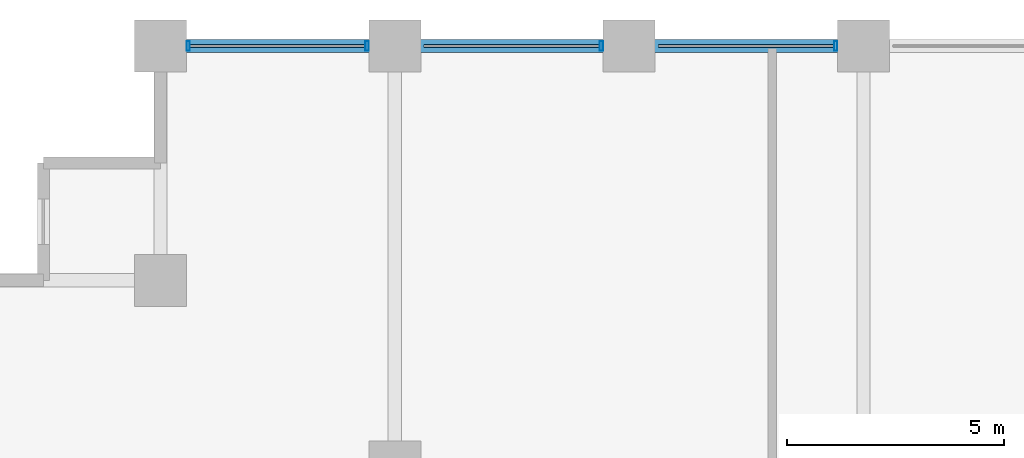
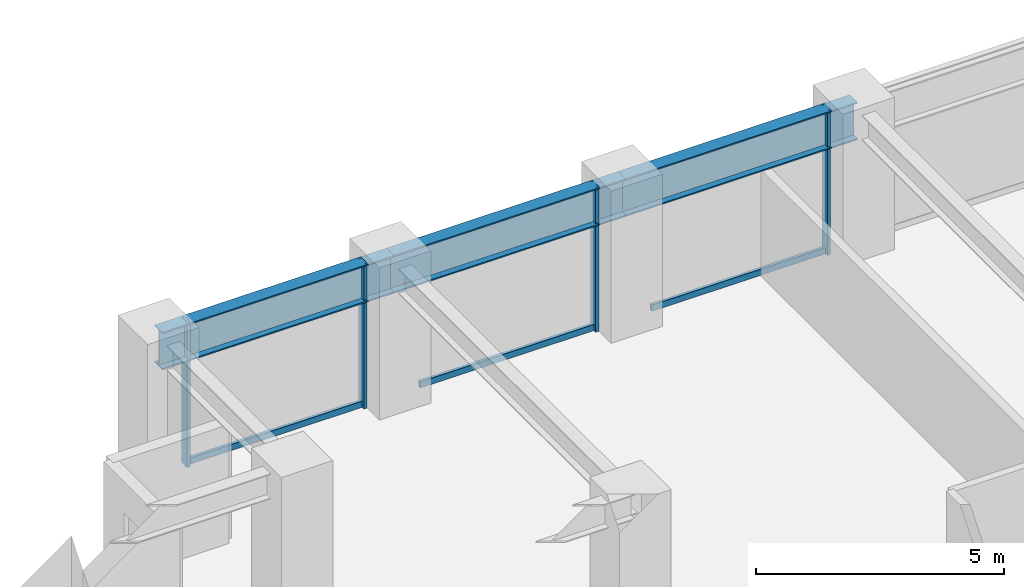
# One storey, part 12 of 27: 7 members, 3 beams, 1 element without a shape of its own.
"""IFC4 building model written with IfcOpenShell, lengths in metres."""

from ifc_helpers import new_model, si_unit, direction, frame, origin, origin_2d, place, context, subcontext, project, spatial, hollow_rectangle, i_section, extrude, material, layer, layer_set, material_profile, profile_set, type_object, element, aggregate, save


model = new_model("IFC4")

# Units and contexts
model_context = context("Model", 3, precision=1e-05, world=origin(), true_north=direction((0.0, 1.0)))
body_context = subcontext(model_context, "Body", "Model", "MODEL_VIEW")
ifc_project = project(units=[si_unit("LENGTHUNIT", "METRE"), si_unit("AREAUNIT", "SQUARE_METRE"), si_unit("VOLUMEUNIT", "CUBIC_METRE"), si_unit("PLANEANGLEUNIT", "RADIAN"), si_unit("MASSUNIT", "GRAM", prefix="KILO")], contexts=[model_context])

# Site, building, storey
site_placement = place(None, origin())
site = spatial("IfcSite", under=ifc_project, at=site_placement, CompositionType="ELEMENT")
building_placement = place(site_placement, origin())
building = spatial("IfcBuilding", under=site, at=building_placement, Name="Surkhivell Harbour Commons", CompositionType="ELEMENT")
storey_placement = place(building_placement, frame((0.0, 0.0, 56.25)))
storey = spatial("IfcBuildingStorey", under=building, at=storey_placement, Name="L14", CompositionType="ELEMENT", Elevation=56.25)

# Beams
ifc_material_1 = material(Name="Steel S460", Category="steel")
ifc_material_profile_1 = material_profile(ifc_material_1, i_section(OverallWidth=0.30810546875, OverallDepth=0.927001953125, WebThickness=0.01953125, FlangeThickness=0.031982421875, at=origin_2d()), Name="UB914x305x289")
ifc_profile_set_1 = profile_set([ifc_material_profile_1], Name="Steel S460")
beam_type = type_object("IfcBeamType", Name="BM-SPN-914B", PredefinedType="SPANDREL", material=ifc_profile_set_1)
beam_1_placement = place(storey_placement, frame((-27.0, 25.89990234375, 3.1064453125), z_axis=(1.0, 0.0, 0.0), x_axis=(0.0, 1.0, 0.0)))
element("IfcBeam", 1, at=beam_1_placement, inside=storey, type_object=beam_type, Name="L14 Tube Spandrel (-27.0,25.9)", PredefinedType="SPANDREL", context=body_context, shape_type="SweptSolid", body=[
    extrude(i_section(OverallWidth=0.30810546875, OverallDepth=0.927001953125, WebThickness=0.01953125, FlangeThickness=0.031982421875, at=origin_2d()), origin(), (0.0, 0.0, 1.0), 5.39990234375),
])
beam_2_placement = place(storey_placement, frame((-21.60009765625, 25.89990234375, 3.1064453125), z_axis=(1.0, 0.0, 0.0), x_axis=(0.0, 1.0, 0.0)))
element("IfcBeam", 2, at=beam_2_placement, inside=storey, type_object=beam_type, Name="L14 Tube Spandrel (-21.6,25.9)", PredefinedType="SPANDREL", context=body_context, shape_type="SweptSolid", body=[
    extrude(i_section(OverallWidth=0.30810546875, OverallDepth=0.927001953125, WebThickness=0.01953125, FlangeThickness=0.031982421875, at=origin_2d()), origin(), (0.0, 0.0, 1.0), 5.400146484375),
])
beam_3_placement = place(storey_placement, frame((-16.199951171875, 25.89990234375, 3.1064453125), z_axis=(1.0, 0.0, 0.0), x_axis=(0.0, 1.0, 0.0)))
element("IfcBeam", 3, at=beam_3_placement, inside=storey, type_object=beam_type, Name="L14 Tube Spandrel (-16.2,25.9)", PredefinedType="SPANDREL", context=body_context, shape_type="SweptSolid", body=[
    extrude(i_section(OverallWidth=0.30810546875, OverallDepth=0.927001953125, WebThickness=0.01953125, FlangeThickness=0.031982421875, at=origin_2d()), origin(), (0.0, 0.0, 1.0), 5.39990234375),
])

# Curtain wall, members
ifc_material_2 = material(Name="Anodised pale-metal aluminium and insulated glazing", Category="aluminium")
ifc_layer = layer(ifc_material_2, 0.219970703125)
ifc_layer_set = layer_set([ifc_layer], Name="Anodised pale-metal aluminium and insulated glazing")
curtain_wall_type = type_object("IfcCurtainWallType", Name="CW-SYS-Z1", PredefinedType="NOTDEFINED", material=ifc_layer_set)
curtain_wall_placement = place(storey_placement, origin())
curtain_wall = element("IfcCurtainWall", 4, at=curtain_wall_placement, inside=storey, type_object=curtain_wall_type, Name="L14 Curtain Wall CW-L14-E07S2", PredefinedType="NOTDEFINED")
ifc_material_3 = material(Name="Anodised pale-metal aluminium alloy 6063-T6", Category="aluminium")
ifc_material_profile_2 = material_profile(ifc_material_3, hollow_rectangle(XDim=0.074951171875, YDim=0.219970703125, WallThickness=0.00390625, at=origin_2d()), Name="ALU-MULL-75x220")
ifc_profile_set_2 = profile_set([ifc_material_profile_2], Name="Anodised pale-metal aluminium alloy 6063-T6")
member_type_1 = type_object("IfcMemberType", Name="CWM-220", PredefinedType="MULLION", material=ifc_profile_set_2)
member_1_placement = place(storey_placement, frame((-11.439453125, 25.89990234375, 0.0), z_axis=(0.0, 0.0, 1.0), x_axis=(-1.0, 0.0, 0.0)))
member_1 = element("IfcMember", 5, at=member_1_placement, type_object=member_type_1, Name="CW-Z1 mullion 2", PredefinedType="MULLION", context=body_context, shape_type="SweptSolid", body=[
    extrude(hollow_rectangle(XDim=0.074951171875, YDim=0.219970703125, WallThickness=0.00390625, at=origin_2d()), origin(), (0.0, 0.0, 1.0), 3.570068359375),
])
member_2_placement = place(storey_placement, frame((-16.839599609375, 25.89990234375, 0.0), z_axis=(0.0, 0.0, 1.0), x_axis=(-1.0, 0.0, 0.0)))
member_2 = element("IfcMember", 6, at=member_2_placement, type_object=member_type_1, Name="CW-Z1 mullion 3", PredefinedType="MULLION", context=body_context, shape_type="SweptSolid", body=[
    extrude(hollow_rectangle(XDim=0.074951171875, YDim=0.219970703125, WallThickness=0.00390625, at=origin_2d()), origin(), (0.0, 0.0, 1.0), 3.570068359375),
])
member_3_placement = place(storey_placement, frame((-22.239501953125, 25.89990234375, 0.0), z_axis=(0.0, 0.0, 1.0), x_axis=(-1.0, 0.0, 0.0)))
member_3 = element("IfcMember", 7, at=member_3_placement, type_object=member_type_1, Name="CW-Z1 mullion 4", PredefinedType="MULLION", context=body_context, shape_type="SweptSolid", body=[
    extrude(hollow_rectangle(XDim=0.074951171875, YDim=0.219970703125, WallThickness=0.00390625, at=origin_2d()), origin(), (0.0, 0.0, 1.0), 3.570068359375),
])
member_4_placement = place(storey_placement, frame((-26.360595703125, 25.89990234375, 0.0), z_axis=(0.0, 0.0, 1.0), x_axis=(-1.0, 0.0, 0.0)))
member_4 = element("IfcMember", 8, at=member_4_placement, type_object=member_type_1, Name="CW-Z1 mullion 5", PredefinedType="MULLION", context=body_context, shape_type="SweptSolid", body=[
    extrude(hollow_rectangle(XDim=0.074951171875, YDim=0.219970703125, WallThickness=0.00390625, at=origin_2d()), origin(), (0.0, 0.0, 1.0), 3.570068359375),
])
ifc_material_profile_3 = material_profile(ifc_material_3, hollow_rectangle(XDim=0.074951171875, YDim=0.14990234375, WallThickness=0.00341796875, at=origin_2d()), Name="ALU-TRAN-75x150")
ifc_profile_set_3 = profile_set([ifc_material_profile_3], Name="Anodised pale-metal aluminium alloy 6063-T6")
member_type_2 = type_object("IfcMemberType", Name="CWT-150", PredefinedType="USERDEFINED", material=ifc_profile_set_3)
member_5_placement = place(storey_placement, frame((-11.47705078125, 25.89990234375, 0.074951171875), z_axis=(-1.0, 0.0, 0.0), x_axis=(0.0, -1.0, 0.0)))
member_5 = element("IfcMember", 9, at=member_5_placement, type_object=member_type_2, Name="CW-Z1 transom 2.1", ObjectType="TRANSOM", PredefinedType="USERDEFINED", context=body_context, shape_type="SweptSolid", body=[
    extrude(hollow_rectangle(XDim=0.074951171875, YDim=0.14990234375, WallThickness=0.00341796875, at=origin_2d()), origin(), (0.0, 0.0, 1.0), 4.0458984375),
])
member_6_placement = place(storey_placement, frame((-16.876953125, 25.89990234375, 0.074951171875), z_axis=(-1.0, 0.0, 0.0), x_axis=(0.0, -1.0, 0.0)))
member_6 = element("IfcMember", 10, at=member_6_placement, type_object=member_type_2, Name="CW-Z1 transom 3.1", ObjectType="TRANSOM", PredefinedType="USERDEFINED", context=body_context, shape_type="SweptSolid", body=[
    extrude(hollow_rectangle(XDim=0.074951171875, YDim=0.14990234375, WallThickness=0.00341796875, at=origin_2d()), origin(), (0.0, 0.0, 1.0), 4.046142578125),
])
member_7_placement = place(storey_placement, frame((-22.277099609375, 25.89990234375, 0.074951171875), z_axis=(-1.0, 0.0, 0.0), x_axis=(0.0, -1.0, 0.0)))
member_7 = element("IfcMember", 11, at=member_7_placement, type_object=member_type_2, Name="CW-Z1 transom 4.1", ObjectType="TRANSOM", PredefinedType="USERDEFINED", context=body_context, shape_type="SweptSolid", body=[
    extrude(hollow_rectangle(XDim=0.074951171875, YDim=0.14990234375, WallThickness=0.00341796875, at=origin_2d()), origin(), (0.0, 0.0, 1.0), 4.0458984375),
])
aggregate(curtain_wall, [member_1, member_5, member_2, member_6, member_3, member_4, member_7])

save(model, "model.ifc")
